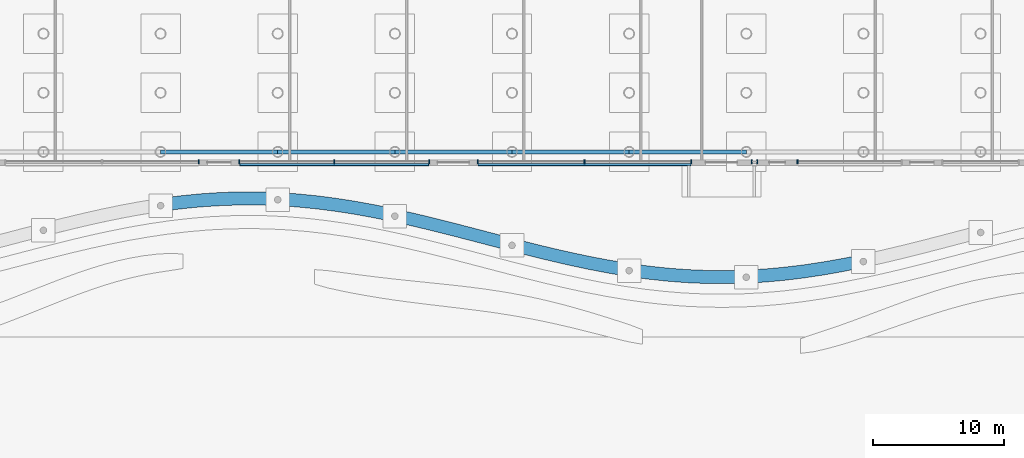
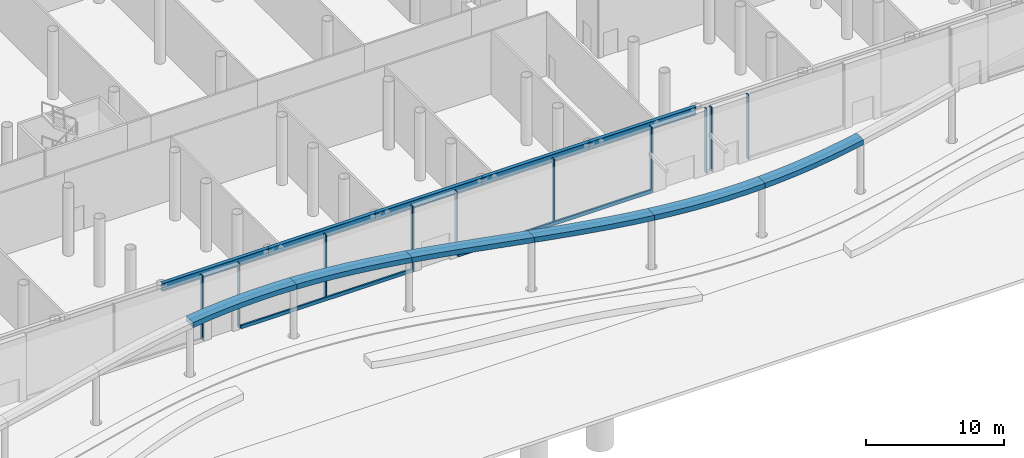
# One storey, part 9 of 75: 12 members, 11 beams, 5 elements without a shape of their own.
"""IFC4 building model written with IfcOpenShell, lengths in metres."""

from ifc_helpers import new_model, si_unit, direction, frame, origin, origin_2d, place, context, subcontext, project, spatial, polyline, rectangle, i_section, outline, extrude, material, layer, layer_set, material_profile, profile_set, type_object, element, aggregate, save


model = new_model("IFC4")

# Units and contexts
model_context = context("Model", 3, precision=1e-05, world=origin(), true_north=direction((0.0, 1.0)))
body_context = subcontext(model_context, "Body", "Model", "MODEL_VIEW")
ifc_project = project(units=[si_unit("LENGTHUNIT", "METRE"), si_unit("AREAUNIT", "SQUARE_METRE"), si_unit("VOLUMEUNIT", "CUBIC_METRE"), si_unit("PLANEANGLEUNIT", "RADIAN"), si_unit("MASSUNIT", "GRAM", prefix="KILO")], contexts=[model_context])

# Site, building, storey
site_placement = place(None, origin())
site = spatial("IfcSite", under=ifc_project, at=site_placement, CompositionType="ELEMENT")
building_placement = place(site_placement, origin())
building = spatial("IfcBuilding", under=site, at=building_placement, Name="Ipe Terrace Towers", CompositionType="ELEMENT")
storey_placement = place(building_placement, origin())
storey = spatial("IfcBuildingStorey", under=building, at=storey_placement, Name="L00", CompositionType="ELEMENT", Elevation=0.0)

# Beams
ifc_material_1 = material(Name="Steel S355", Category="steel")
ifc_material_profile_1 = material_profile(ifc_material_1, i_section(OverallWidth=0.300048828125, OverallDepth=0.699951171875, WebThickness=0.012939453125, FlangeThickness=0.02392578125, at=origin_2d()), Name="H-700x300x13x24")
ifc_profile_set_1 = profile_set([ifc_material_profile_1], Name="Steel S355")
beam_type_1 = type_object("IfcBeamType", Name="H13 DECK EDGE BEAM H-700x300x13x24", PredefinedType="BEAM", material=ifc_profile_set_1)
for number, where, z_axis, x_axis, name in (
    (1, (-6.7099609375, -42.14990234375, 5.22998046875), (1.0, 0.0, 0.0), (0.0, 1.0, 0.0), "Deck edge beam PD-TB-A08-A09"),
    (2, (2.2099609375, -42.14990234375, 5.22998046875), (1.0, 0.0, 0.0), (0.0, 1.0, 0.0), "Deck edge beam PD-TB-A09-A10"),
):
    element("IfcBeam", number, at=place(storey_placement, frame(where, z_axis=z_axis, x_axis=x_axis)), inside=storey, type_object=beam_type_1, Name=name, PredefinedType="BEAM", context=body_context, shape_type="SweptSolid", body=[
        extrude(i_section(OverallWidth=0.300048828125, OverallDepth=0.699951171875, WebThickness=0.012939453125, FlangeThickness=0.02392578125, at=origin_2d()), origin(), (0.0, 0.0, 1.0), 8.919921875),
    ])
beam_1_placement = place(storey_placement, frame((11.1298828125, -42.14990234375, 5.22998046875), z_axis=(1.0, 0.0, 0.0), x_axis=(0.0, 1.0, 0.0)))
element("IfcBeam", 3, at=beam_1_placement, inside=storey, type_object=beam_type_1, Name="Deck edge beam PD-TB-A10-A11", PredefinedType="BEAM", context=body_context, shape_type="SweptSolid", body=[
    extrude(i_section(OverallWidth=0.300048828125, OverallDepth=0.699951171875, WebThickness=0.012939453125, FlangeThickness=0.02392578125, at=origin_2d()), origin(), (0.0, 0.0, 1.0), 8.920166015625),
])
for number, where, z_axis, x_axis, name in (
    (4, (20.050048828125, -42.14990234375, 5.22998046875), (1.0, 0.0, 0.0), (0.0, 1.0, 0.0), "Deck edge beam PD-TB-A11-A12"),
    (5, (28.969970703125, -42.14990234375, 5.22998046875), (1.0, 0.0, 0.0), (0.0, 1.0, 0.0), "Deck edge beam PD-TB-A12-A13"),
):
    element("IfcBeam", number, at=place(storey_placement, frame(where, z_axis=z_axis, x_axis=x_axis)), inside=storey, type_object=beam_type_1, Name=name, PredefinedType="BEAM", context=body_context, shape_type="SweptSolid", body=[
        extrude(i_section(OverallWidth=0.300048828125, OverallDepth=0.699951171875, WebThickness=0.012939453125, FlangeThickness=0.02392578125, at=origin_2d()), origin(), (0.0, 0.0, 1.0), 8.919921875),
    ])
ifc_material_2 = material(Name="Concrete C40/50", Category="concrete")
beam_type_2 = type_object("IfcBeamType", Name="MARQUISE EDGE BEAM C40/50 1000 x 450", PredefinedType="BEAM", material=ifc_material_2)
beam_2_placement = place(storey_placement, frame((0.0, 0.0, 4.35009765625)))
element("IfcBeam", 6, at=beam_2_placement, inside=storey, type_object=beam_type_2, Name="marquise edge beam", PredefinedType="BEAM", context=body_context, shape_type="SweptSolid", body=[
    extrude(outline(polyline([(-6.7099609375, -46.68994140625), (-6.7099609375, -45.68994140625), (-5.222900390625, -45.49609375), (-3.737060546875, -45.347900390625), (-2.25, -45.248046875), (-0.762939453125, -45.197021484375), (0.722900390625, -45.196044921875), (2.2099609375, -45.24609375), (2.2099609375, -46.24609375), (0.722900390625, -46.196044921875), (-0.762939453125, -46.197021484375), (-2.25, -46.248046875), (-3.737060546875, -46.347900390625), (-5.222900390625, -46.49609375), (-6.7099609375, -46.68994140625)])), origin(), (0.0, 0.0, 1.0), 0.449951171875),
])
beam_3_placement = place(storey_placement, frame((0.0, 0.0, 4.35009765625)))
element("IfcBeam", 7, at=beam_3_placement, inside=storey, type_object=beam_type_2, Name="marquise edge beam", PredefinedType="BEAM", context=body_context, shape_type="SweptSolid", body=[
    extrude(outline(polyline([(2.2099609375, -46.24609375), (2.2099609375, -45.24609375), (3.697021484375, -45.344970703125), (5.18310546875, -45.491943359375), (6.669921875, -45.68408203125), (8.156982421875, -45.91796875), (9.64306640625, -46.19091796875), (11.1298828125, -46.4970703125), (11.1298828125, -47.4970703125), (9.64306640625, -47.19091796875), (8.156982421875, -46.91796875), (6.669921875, -46.68408203125), (5.18310546875, -46.491943359375), (3.697021484375, -46.344970703125), (2.2099609375, -46.24609375)])), origin(), (0.0, 0.0, 1.0), 0.449951171875),
])
beam_4_placement = place(storey_placement, frame((0.0, 0.0, 4.35009765625)))
element("IfcBeam", 8, at=beam_4_placement, inside=storey, type_object=beam_type_2, Name="marquise edge beam", PredefinedType="BEAM", context=body_context, shape_type="SweptSolid", body=[
    extrude(outline(polyline([(11.1298828125, -47.4970703125), (11.1298828125, -46.4970703125), (12.616943359375, -46.83203125), (14.10302734375, -47.18896484375), (15.590087890625, -47.56396484375), (17.076904296875, -47.948974609375), (18.56298828125, -48.3369140625), (20.050048828125, -48.72412109375), (20.050048828125, -49.72412109375), (18.56298828125, -49.3369140625), (17.076904296875, -48.948974609375), (15.590087890625, -48.56396484375), (14.10302734375, -48.18896484375), (12.616943359375, -47.83203125), (11.1298828125, -47.4970703125)])), origin(), (0.0, 0.0, 1.0), 0.449951171875),
])
beam_5_placement = place(storey_placement, frame((0.0, 0.0, 4.35009765625)))
element("IfcBeam", 9, at=beam_5_placement, inside=storey, type_object=beam_type_2, Name="marquise edge beam", PredefinedType="BEAM", context=body_context, shape_type="SweptSolid", body=[
    extrude(outline(polyline([(20.050048828125, -49.72412109375), (20.050048828125, -48.72412109375), (21.537109375, -49.10107421875), (23.02294921875, -49.462890625), (24.510009765625, -49.803955078125), (25.9970703125, -50.117919921875), (27.48291015625, -50.39892578125), (28.969970703125, -50.64306640625), (28.969970703125, -51.64306640625), (27.48291015625, -51.39892578125), (25.9970703125, -51.117919921875), (24.510009765625, -50.803955078125), (23.02294921875, -50.462890625), (21.537109375, -50.10107421875), (20.050048828125, -49.72412109375)])), origin(), (0.0, 0.0, 1.0), 0.449951171875),
])
beam_6_placement = place(storey_placement, frame((0.0, 0.0, 4.35009765625)))
element("IfcBeam", 10, at=beam_6_placement, inside=storey, type_object=beam_type_2, Name="marquise edge beam", PredefinedType="BEAM", context=body_context, shape_type="SweptSolid", body=[
    extrude(outline(polyline([(28.969970703125, -51.64306640625), (28.969970703125, -50.64306640625), (30.45703125, -50.845947265625), (31.943115234375, -51.00390625), (33.429931640625, -51.114990234375), (34.9169921875, -51.177001953125), (36.403076171875, -51.18798828125), (37.889892578125, -51.14892578125), (37.889892578125, -52.14892578125), (36.403076171875, -52.18798828125), (34.9169921875, -52.177001953125), (33.429931640625, -52.114990234375), (31.943115234375, -52.00390625), (30.45703125, -51.845947265625), (28.969970703125, -51.64306640625)])), origin(), (0.0, 0.0, 1.0), 0.449951171875),
])
beam_7_placement = place(storey_placement, frame((0.0, 0.0, 4.35009765625)))
element("IfcBeam", 11, at=beam_7_placement, inside=storey, type_object=beam_type_2, Name="marquise edge beam", PredefinedType="BEAM", context=body_context, shape_type="SweptSolid", body=[
    extrude(outline(polyline([(37.889892578125, -52.14892578125), (37.889892578125, -51.14892578125), (39.376953125, -51.06103515625), (40.863037109375, -50.924072265625), (42.35009765625, -50.740966796875), (43.8369140625, -50.514892578125), (45.322998046875, -50.2509765625), (46.81005859375, -49.950927734375), (46.81005859375, -50.950927734375), (45.322998046875, -51.2509765625), (43.8369140625, -51.514892578125), (42.35009765625, -51.740966796875), (40.863037109375, -51.924072265625), (39.376953125, -52.06103515625), (37.889892578125, -52.14892578125)])), origin(), (0.0, 0.0, 1.0), 0.449951171875),
])

# Curtain wall, member
ifc_material_3 = material(Name="Aluminium alloy 6063-T6", Category="aluminium")
ifc_layer = layer(ifc_material_3, 0.43994140625)
ifc_layer_set = layer_set([ifc_layer], Name="PODIUM GLAZING CURTAIN WALL")
curtain_wall_type = type_object("IfcCurtainWallType", Name="PODIUM GLAZING CURTAIN WALL", PredefinedType="NOTDEFINED", material=ifc_layer_set)
curtain_wall_1_placement = place(storey_placement, origin())
curtain_wall_1 = element("IfcCurtainWall", 12, at=curtain_wall_1_placement, inside=storey, type_object=curtain_wall_type, Name="POD-CW-L00-03k curtain wall", PredefinedType="NOTDEFINED")
ifc_material_4 = material(Name="Aluminium alloy 6063-T6", Category="aluminium")
ifc_material_profile_2 = material_profile(ifc_material_4, rectangle(XDim=0.300048828125, YDim=0.080078125, at=origin_2d()), Name="PODIUM GLAZING MULLION 300 x 80")
ifc_profile_set_2 = profile_set([ifc_material_profile_2], Name="Aluminium alloy 6063-T6")
member_type_1 = type_object("IfcMemberType", Name="PODIUM GLAZING MULLION 300 x 80", PredefinedType="MULLION", material=ifc_profile_set_2)
member_1_placement = place(storey_placement, frame((-3.7900390625, -42.89990234375, 0.0), z_axis=(0.0, 0.0, 1.0), x_axis=(0.0, -1.0, 0.0)))
member_1 = element("IfcMember", 13, at=member_1_placement, type_object=member_type_1, Name="POD-CW-L00-03k mullion 3", PredefinedType="MULLION", context=body_context, shape_type="SweptSolid", body=[
    extrude(rectangle(XDim=0.300048828125, YDim=0.080078125, at=origin_2d()), origin(), (0.0, 0.0, 1.0), 5.699951171875),
])
aggregate(curtain_wall_1, [member_1])

# Curtain wall, members
curtain_wall_2_placement = place(storey_placement, origin())
curtain_wall_2 = element("IfcCurtainWall", 14, at=curtain_wall_2_placement, inside=storey, type_object=curtain_wall_type, Name="POD-CW-L00-03m curtain wall", PredefinedType="NOTDEFINED")
member_2_placement = place(storey_placement, frame((-0.7099609375, -42.89990234375, 0.0), z_axis=(0.0, 0.0, 1.0), x_axis=(0.0, -1.0, 0.0)))
member_2 = element("IfcMember", 15, at=member_2_placement, type_object=member_type_1, Name="POD-CW-L00-03m mullion 1", PredefinedType="MULLION", context=body_context, shape_type="SweptSolid", body=[
    extrude(rectangle(XDim=0.300048828125, YDim=0.080078125, at=origin_2d()), origin(), (0.0, 0.0, 1.0), 5.699951171875),
])
member_3_placement = place(storey_placement, frame((6.52001953125, -42.89990234375, 0.0), z_axis=(0.0, 0.0, 1.0), x_axis=(0.0, -1.0, 0.0)))
member_3 = element("IfcMember", 16, at=member_3_placement, type_object=member_type_1, Name="POD-CW-L00-03m mullion 2", PredefinedType="MULLION", context=body_context, shape_type="SweptSolid", body=[
    extrude(rectangle(XDim=0.300048828125, YDim=0.080078125, at=origin_2d()), origin(), (0.0, 0.0, 1.0), 5.699951171875),
])
member_4_placement = place(storey_placement, frame((13.75, -42.89990234375, 0.0), z_axis=(0.0, 0.0, 1.0), x_axis=(0.0, -1.0, 0.0)))
member_4 = element("IfcMember", 17, at=member_4_placement, type_object=member_type_1, Name="POD-CW-L00-03m mullion 3", PredefinedType="MULLION", context=body_context, shape_type="SweptSolid", body=[
    extrude(rectangle(XDim=0.300048828125, YDim=0.080078125, at=origin_2d()), origin(), (0.0, 0.0, 1.0), 5.699951171875),
])

curtain_wall_3_placement = place(storey_placement, origin())
curtain_wall_3 = element("IfcCurtainWall", 18, at=curtain_wall_3_placement, inside=storey, type_object=curtain_wall_type, Name="POD-CW-L00-03o curtain wall", PredefinedType="NOTDEFINED")
member_5_placement = place(storey_placement, frame((17.429931640625, -42.89990234375, 0.0), z_axis=(0.0, 0.0, 1.0), x_axis=(0.0, -1.0, 0.0)))
member_5 = element("IfcMember", 19, at=member_5_placement, type_object=member_type_1, Name="POD-CW-L00-03o mullion 1", PredefinedType="MULLION", context=body_context, shape_type="SweptSolid", body=[
    extrude(rectangle(XDim=0.300048828125, YDim=0.080078125, at=origin_2d()), origin(), (0.0, 0.0, 1.0), 5.699951171875),
])
member_6_placement = place(storey_placement, frame((25.570068359375, -42.89990234375, 0.0), z_axis=(0.0, 0.0, 1.0), x_axis=(0.0, -1.0, 0.0)))
member_6 = element("IfcMember", 20, at=member_6_placement, type_object=member_type_1, Name="POD-CW-L00-03o mullion 2", PredefinedType="MULLION", context=body_context, shape_type="SweptSolid", body=[
    extrude(rectangle(XDim=0.300048828125, YDim=0.080078125, at=origin_2d()), origin(), (0.0, 0.0, 1.0), 5.699951171875),
])
member_7_placement = place(storey_placement, frame((33.7099609375, -42.89990234375, 0.0), z_axis=(0.0, 0.0, 1.0), x_axis=(0.0, -1.0, 0.0)))
member_7 = element("IfcMember", 21, at=member_7_placement, type_object=member_type_1, Name="POD-CW-L00-03o mullion 3", PredefinedType="MULLION", context=body_context, shape_type="SweptSolid", body=[
    extrude(rectangle(XDim=0.300048828125, YDim=0.080078125, at=origin_2d()), origin(), (0.0, 0.0, 1.0), 5.699951171875),
])

curtain_wall_4_placement = place(storey_placement, origin())
curtain_wall_4 = element("IfcCurtainWall", 22, at=curtain_wall_4_placement, inside=storey, type_object=curtain_wall_type, Name="POD-CW-L00-03q curtain wall", PredefinedType="NOTDEFINED")
member_8_placement = place(storey_placement, frame((38.2900390625, -42.89990234375, 0.0), z_axis=(0.0, 0.0, 1.0), x_axis=(0.0, -1.0, 0.0)))
member_8 = element("IfcMember", 23, at=member_8_placement, type_object=member_type_1, Name="POD-CW-L00-03q mullion 1", PredefinedType="MULLION", context=body_context, shape_type="SweptSolid", body=[
    extrude(rectangle(XDim=0.300048828125, YDim=0.080078125, at=origin_2d()), origin(), (0.0, 0.0, 1.0), 5.699951171875),
])
member_9_placement = place(storey_placement, frame((38.7099609375, -42.89990234375, 0.0), z_axis=(0.0, 0.0, 1.0), x_axis=(0.0, -1.0, 0.0)))
member_9 = element("IfcMember", 24, at=member_9_placement, type_object=member_type_1, Name="POD-CW-L00-03q mullion 2", PredefinedType="MULLION", context=body_context, shape_type="SweptSolid", body=[
    extrude(rectangle(XDim=0.300048828125, YDim=0.080078125, at=origin_2d()), origin(), (0.0, 0.0, 1.0), 5.699951171875),
])
aggregate(curtain_wall_4, [member_8, member_9])

# Curtain wall, member
curtain_wall_5_placement = place(storey_placement, origin())
curtain_wall_5 = element("IfcCurtainWall", 25, at=curtain_wall_5_placement, inside=storey, type_object=curtain_wall_type, Name="POD-CW-L00-03s curtain wall", PredefinedType="NOTDEFINED")
member_10_placement = place(storey_placement, frame((41.7900390625, -42.89990234375, 0.0), z_axis=(0.0, 0.0, 1.0), x_axis=(0.0, -1.0, 0.0)))
member_10 = element("IfcMember", 26, at=member_10_placement, type_object=member_type_1, Name="POD-CW-L00-03s mullion 1", PredefinedType="MULLION", context=body_context, shape_type="SweptSolid", body=[
    extrude(rectangle(XDim=0.300048828125, YDim=0.080078125, at=origin_2d()), origin(), (0.0, 0.0, 1.0), 5.699951171875),
])
aggregate(curtain_wall_5, [member_10])

# Member
ifc_material_5 = material(Name="Aluminium alloy 6063-T6", Category="aluminium")
ifc_material_profile_3 = material_profile(ifc_material_5, rectangle(XDim=0.139892578125, YDim=0.300048828125, at=origin_2d()), Name="PODIUM GLAZING TRANSOM 140 x 300")
ifc_profile_set_3 = profile_set([ifc_material_profile_3], Name="Aluminium alloy 6063-T6")
member_type_2 = type_object("IfcMemberType", Name="PODIUM GLAZING TRANSOM 140 x 300", PredefinedType="USERDEFINED", material=ifc_profile_set_3)
member_11_placement = place(storey_placement, frame((-0.669921875, -43.1201171875, 0.14990234375), z_axis=(1.0, 0.0, 0.0), x_axis=(0.0, -1.0, 0.0)))
member_11 = element("IfcMember", 27, at=member_11_placement, type_object=member_type_2, Name="POD-CW-L00-03m transom", ObjectType="TRANSOM", PredefinedType="USERDEFINED", context=body_context, shape_type="SweptSolid", body=[
    extrude(rectangle(XDim=0.139892578125, YDim=0.300048828125, at=origin_2d()), origin(), (0.0, 0.0, 1.0), 14.3798828125),
])

aggregate(curtain_wall_2, [member_2, member_3, member_4, member_11])

member_12_placement = place(storey_placement, frame((17.469970703125, -43.1201171875, 0.14990234375), z_axis=(1.0, 0.0, 0.0), x_axis=(0.0, -1.0, 0.0)))
member_12 = element("IfcMember", 28, at=member_12_placement, type_object=member_type_2, Name="POD-CW-L00-03o transom", ObjectType="TRANSOM", PredefinedType="USERDEFINED", context=body_context, shape_type="SweptSolid", body=[
    extrude(rectangle(XDim=0.139892578125, YDim=0.300048828125, at=origin_2d()), origin(), (0.0, 0.0, 1.0), 16.199951171875),
])

aggregate(curtain_wall_3, [member_5, member_6, member_7, member_12])

save(model, "model.ifc")
